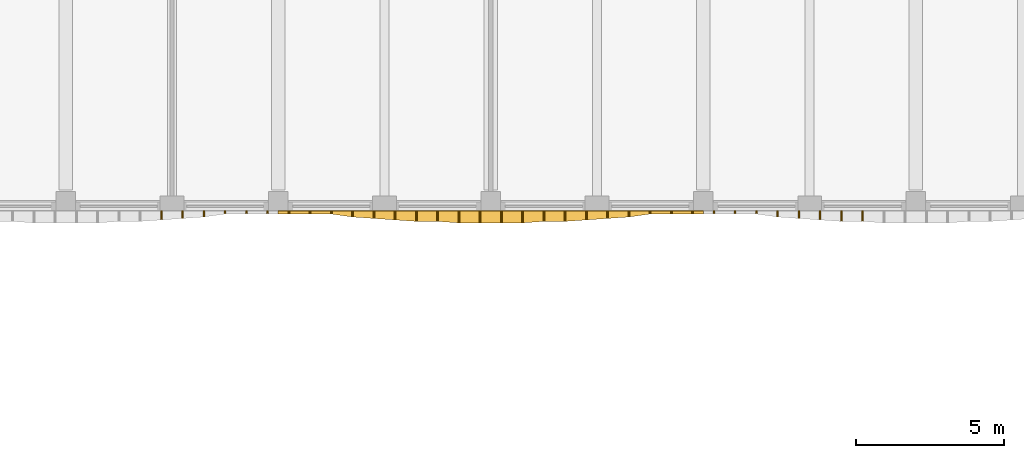
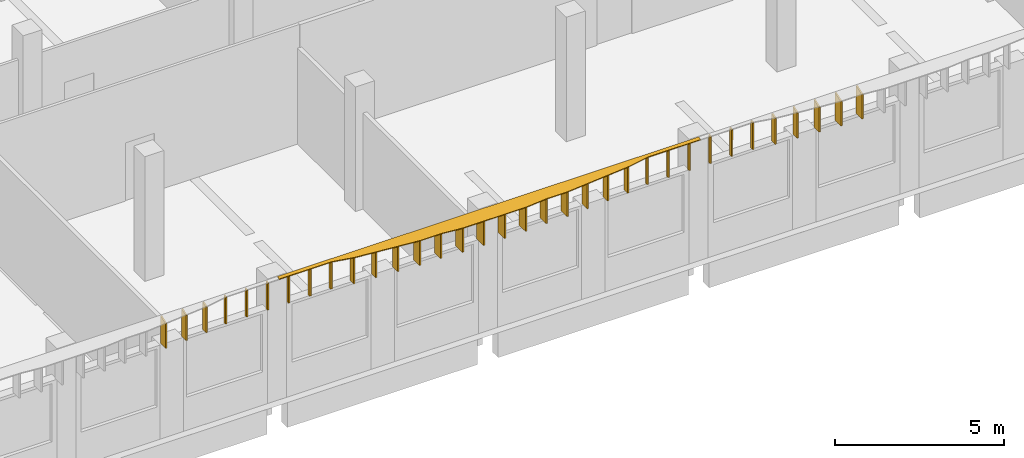
# One storey, part 46 of 58: 35 shading devices.
"""IFC4 building model written with IfcOpenShell, lengths in metres."""

import ifcopenshell
import ifcopenshell.guid

model = None  # the IFC model being written
_history = None  # IfcOwnerHistory: only IFC2X3 demands one
_inside = {}  # id of a spatial element -> (the spatial element, [elements in it])
_under = {}  # id of a project, library or spatial element -> (it, [spatial elements below it])
_declared = {}  # id of a project -> (the project, [libraries it declares])
_typed = {}  # id of a type object -> (the type object, [elements of that type])
_made_of = {}  # id of a material, layer set ... -> (it, [elements and type objects made of it])


def new_model(schema):
    """Start an empty IFC model of exactly this schema.

    Asked for "IFC4X3", IfcOpenShell would pick the latest addendum, in which some entities
    have other attributes; the version numbers below select the first issue.
    IFC2X3 requires an IfcOwnerHistory on every rooted entity: one is made here for all.
    """
    global model, _history
    if schema == "IFC4X3":
        model = ifcopenshell.file(schema_version=(4, 3, 0, 0))
    else:
        model = ifcopenshell.file(schema=schema)
    _inside.clear()
    _under.clear()
    _declared.clear()
    _typed.clear()
    _made_of.clear()
    _history = None
    if model.schema == "IFC2X3":
        org = make("IfcOrganization", Name="unknown")
        user = make(
            "IfcPersonAndOrganization",
            ThePerson=make("IfcPerson", FamilyName="unknown"),
            TheOrganization=org,
        )
        app = make(
            "IfcApplication",
            ApplicationDeveloper=org,
            Version="unknown",
            ApplicationFullName="unknown",
            ApplicationIdentifier="unknown",
        )
        _history = make(
            "IfcOwnerHistory",
            OwningUser=user,
            OwningApplication=app,
            ChangeAction="ADDED",
            CreationDate=0,
        )
    return model


def make(cls, **values):
    """One entity of the class cls with the attributes given. An attribute that is None is left unset."""
    return model.create_entity(
        cls, **{name: value for name, value in values.items() if value is not None}
    )


def rooted(cls, **values):
    """An entity with a GlobalId (a new one), such as an element, a storey or a relation."""
    return make(cls, GlobalId=ifcopenshell.guid.new(), OwnerHistory=_history, **values)


def si_unit(unit_type, name, prefix=None):
    """IfcSIUnit, for example si_unit("LENGTHUNIT", "METRE", prefix="MILLI")."""
    return make("IfcSIUnit", UnitType=unit_type, Prefix=prefix, Name=name)


def assignment(units):
    """IfcUnitAssignment: the units of a project."""
    return None if units is None else make("IfcUnitAssignment", Units=units)


def point(xyz):
    """IfcCartesianPoint."""
    return None if xyz is None else make("IfcCartesianPoint", Coordinates=xyz)


def direction(xyz):
    """IfcDirection."""
    return None if xyz is None else make("IfcDirection", DirectionRatios=xyz)


def frame(location, z_axis=None, x_axis=None):
    """IfcAxis2Placement3D, a coordinate frame: its origin and axes. An axis left out is left unset."""
    return make(
        "IfcAxis2Placement3D",
        Location=point(location),
        Axis=direction(z_axis),
        RefDirection=direction(x_axis),
    )


def origin():
    """The frame at (0, 0, 0) with its axes left unset."""
    return frame((0.0, 0.0, 0.0))


def place(relative_to, where):
    """IfcLocalPlacement: puts the frame where relative to a parent placement (None: the world)."""
    return make(
        "IfcLocalPlacement", PlacementRelTo=relative_to, RelativePlacement=where
    )


def context(
    kind, dimensions, precision=None, world=None, true_north=None, identifier=None
):
    """IfcGeometricRepresentationContext, for example the 3D "Model" context."""
    return make(
        "IfcGeometricRepresentationContext",
        ContextIdentifier=identifier,
        ContextType=kind,
        CoordinateSpaceDimension=dimensions,
        Precision=precision,
        WorldCoordinateSystem=world,
        TrueNorth=true_north,
    )


def subcontext(parent, identifier, kind, view, scale=None):
    """IfcGeometricRepresentationSubContext, for example "Body" below "Model"."""
    return make(
        "IfcGeometricRepresentationSubContext",
        ContextIdentifier=identifier,
        ContextType=kind,
        ParentContext=parent,
        TargetScale=scale,
        TargetView=view,
    )


def project(units=None, contexts=None):
    """IfcProject with its units and contexts."""
    return rooted(
        "IfcProject",
        Name="project",
        RepresentationContexts=contexts,
        UnitsInContext=assignment(units),
    )


def spatial(cls, under=None, at=None, **own):
    """A site, building, storey or space (cls), placed at a placement, below another one or the project."""
    s = rooted(cls, ObjectPlacement=at, **own)
    if under is not None:
        _under.setdefault(under.id(), (under, []))[1].append(s)
    return s


def polyline(points):
    """IfcPolyline through the points."""
    return make("IfcPolyline", Points=[point(p) for p in points])


def outline(outer, holes=None, kind="AREA"):
    """IfcArbitraryClosedProfileDef: a profile drawn as a closed curve; with holes, ...WithVoids."""
    if holes is None:
        return make("IfcArbitraryClosedProfileDef", ProfileType=kind, OuterCurve=outer)
    return make(
        "IfcArbitraryProfileDefWithVoids",
        ProfileType=kind,
        OuterCurve=outer,
        InnerCurves=holes,
    )


def extrude(swept, where, along, depth):
    """IfcExtrudedAreaSolid: the profile swept, set in the frame where, extruded along a direction by depth."""
    return make(
        "IfcExtrudedAreaSolid",
        SweptArea=swept,
        Position=where,
        ExtrudedDirection=direction(along),
        Depth=depth,
    )


def shape(context_of_items, identifier, shape_type, items):
    """IfcShapeRepresentation: the items that make up one representation, for example the "Body"."""
    return make(
        "IfcShapeRepresentation",
        ContextOfItems=context_of_items,
        RepresentationIdentifier=identifier,
        RepresentationType=shape_type,
        Items=items,
    )


def material(Name=None, Category=None):
    """IfcMaterial."""
    return make("IfcMaterial", Name=Name, Category=Category)


def layer(
    of_material, thickness, ventilated=None, Name=None, Category=None, Priority=None
):
    """IfcMaterialLayer: one layer of a wall or slab, of a material (None: an air gap)."""
    return make(
        "IfcMaterialLayer",
        Material=of_material,
        LayerThickness=thickness,
        IsVentilated=ventilated,
        Name=Name,
        Category=Category,
        Priority=Priority,
    )


def layer_set(layers, Name=None):
    """IfcMaterialLayerSet."""
    return make("IfcMaterialLayerSet", MaterialLayers=layers, LayerSetName=Name)


def made_of(thing, what):
    """Note that an element or type object is made of a material, layer set ...; save() writes the relation."""
    if what is not None:
        _made_of.setdefault(what.id(), (what, []))[1].append(thing)
    return thing


def type_object(cls, material=None, **own):
    """A type object (cls), such as IfcWallType, which elements share."""
    return made_of(rooted(cls, **own), material)


def element(
    cls,
    number,
    at=None,
    inside=None,
    cuts=None,
    type_object=None,
    material=None,
    context=None,
    identifier="Body",
    shape_type=None,
    held_by="IfcProductDefinitionShape",
    body=None,
    shapes=None,
    **own,
):
    """One element of the class cls, such as IfcWall. Its Tag is "e" and its number.

    at: its placement. inside: the storey or other place that contains it. cuts: it is an
    opening in that element (IfcRelVoidsElement). A single representation is given by context,
    identifier, shape_type and body (its items); several are given by shapes. held_by: the class
    of the entity that holds the representations. save() writes the other relations.
    """
    e = rooted(cls, Tag="e%d" % number, ObjectPlacement=at, **own)
    if body is not None:
        shapes = [shape(context, identifier, shape_type, body)]
    if shapes is not None:
        e.Representation = make(held_by, Representations=shapes)
    if inside is not None:
        _inside.setdefault(inside.id(), (inside, []))[1].append(e)
    if cuts is not None:
        rooted(
            "IfcRelVoidsElement", RelatingBuildingElement=cuts, RelatedOpeningElement=e
        )
    if type_object is not None:
        _typed.setdefault(type_object.id(), (type_object, []))[1].append(e)
    return made_of(e, material)


def aggregate(whole, parts):
    """IfcRelAggregates: a whole, such as a stair, and the parts it consists of."""
    return rooted("IfcRelAggregates", RelatingObject=whole, RelatedObjects=parts)


def save(model, path):
    """Write the relations noted so far, then the file.

    IfcRelAggregates (storeys below a building ...), IfcRelContainedInSpatialStructure (elements
    in a storey), IfcRelDefinesByType, IfcRelAssociatesMaterial and IfcRelDeclares: one each for
    every whole, place, type object, material and project.
    """
    for whole, parts in _under.values():
        aggregate(whole, parts)
    for where, things in _inside.values():
        rooted(
            "IfcRelContainedInSpatialStructure",
            RelatedElements=things,
            RelatingStructure=where,
        )
    for kind, things in _typed.values():
        rooted("IfcRelDefinesByType", RelatedObjects=things, RelatingType=kind)
    for what, things in _made_of.values():
        rooted("IfcRelAssociatesMaterial", RelatedObjects=things, RelatingMaterial=what)
    for by, libraries in _declared.values():
        rooted("IfcRelDeclares", RelatingContext=by, RelatedDefinitions=libraries)
    model.write(path)


model = new_model("IFC4")

# Units and contexts
model_context = context("Model", 3, precision=1e-05, world=origin(), true_north=direction((0.0, 1.0)))
body_context = subcontext(model_context, "Body", "Model", "MODEL_VIEW")
ifc_project = project(units=[si_unit("LENGTHUNIT", "METRE"), si_unit("AREAUNIT", "SQUARE_METRE"), si_unit("VOLUMEUNIT", "CUBIC_METRE"), si_unit("PLANEANGLEUNIT", "RADIAN"), si_unit("MASSUNIT", "GRAM", prefix="KILO")], contexts=[model_context])

# Site, building, storey
site_placement = place(None, origin())
site = spatial("IfcSite", under=ifc_project, at=site_placement, CompositionType="ELEMENT")
building_placement = place(site_placement, origin())
building = spatial("IfcBuilding", under=site, at=building_placement, Name="Ussher Court Research Institute", CompositionType="ELEMENT")
storey_placement = place(building_placement, frame((0.0, 0.0, 9.89990234375)))
storey = spatial("IfcBuildingStorey", under=building, at=storey_placement, Name="L02", CompositionType="ELEMENT", Elevation=9.89990234375)

# Shading devices
ifc_material_1 = material(Name="Bronze anodised aluminium", Category="aluminium")
ifc_layer_1 = layer(ifc_material_1, 0.050048828125)
ifc_layer_set_1 = layer_set([ifc_layer_1], Name="Bronze anodised aluminium")
shading_device_type_1 = type_object("IfcShadingDeviceType", Name="Brim blade 100 mm deep 1000 mm high canted 20 deg dry", PredefinedType="USERDEFINED", material=ifc_layer_set_1)
for number, where, z_axis, x_axis, name in (
    (1, (55.199951171875, 68.39990234375, 3.4501953125), (0.0, 0.0, 1.0), (0.0, -1.0, 0.0), "Brim blade BS17 L02"),
    (2, (54.47998046875, 68.39990234375, 3.4501953125), (0.0, 0.0, 1.0), (0.0, -1.0, 0.0), "Brim blade BS17 L02"),
    (3, (53.760009765625, 68.39990234375, 3.4501953125), (0.0, 0.0, 1.0), (0.0, -1.0, 0.0), "Brim blade BS17 L02"),
    (4, (53.0400390625, 68.39990234375, 3.4501953125), (0.0, 0.0, 1.0), (0.0, -1.0, 0.0), "Brim blade BS17 L02"),
    (5, (52.320068359375, 68.39990234375, 3.4501953125), (0.0, 0.0, 1.0), (0.0, -1.0, 0.0), "Brim blade BS17 L02"),
    (6, (51.60009765625, 68.39990234375, 3.4501953125), (0.0, 0.0, 1.0), (0.0, -1.0, 0.0), "Brim blade BS17 L02"),
    (7, (40.800048828125, 68.39990234375, 3.4501953125), (0.0, 0.0, 1.0), (0.0, -1.0, 0.0), "Brim blade BS17 L02"),
    (8, (40.080078125, 68.39990234375, 3.4501953125), (0.0, 0.0, 1.0), (0.0, -1.0, 0.0), "Brim blade BS17 L02"),
    (9, (39.360107421875, 68.39990234375, 3.4501953125), (0.0, 0.0, 1.0), (0.0, -1.0, 0.0), "Brim blade BS17 L02"),
    (10, (38.639892578125, 68.39990234375, 3.4501953125), (0.0, 0.0, 1.0), (0.0, -1.0, 0.0), "Brim blade BS17 L02"),
    (11, (37.919921875, 68.39990234375, 3.4501953125), (0.0, 0.0, 1.0), (0.0, -1.0, 0.0), "Brim blade BS17 L02"),
    (12, (37.199951171875, 68.39990234375, 3.4501953125), (0.0, 0.0, 1.0), (0.0, -1.0, 0.0), "Brim blade BS17 L02"),
):
    element("IfcShadingDevice", number, at=place(storey_placement, frame(where, z_axis=z_axis, x_axis=x_axis)), inside=storey, type_object=shading_device_type_1, Name=name, ObjectType="BLADE", PredefinedType="USERDEFINED", context=body_context, shape_type="SweptSolid", body=[
        extrude(outline(polyline([(0.0, 0.0), (0.099853515625, 0.0), (0.10009765625, 0.963623046875), (0.0, 1.0), (0.0, 0.0)])), frame((0.0, 0.02490234375, 0.0), z_axis=(0.0, -1.0, 0.0), x_axis=(1.0, 0.0, 0.0)), (0.0, 0.0, 1.0), 0.050048828125),
    ])
ifc_material_2 = material(Name="Bronze anodised aluminium", Category="aluminium")
ifc_layer_2 = layer(ifc_material_2, 0.050048828125)
ifc_layer_set_2 = layer_set([ifc_layer_2], Name="Bronze anodised aluminium")
shading_device_type_2 = type_object("IfcShadingDeviceType", Name="Brim blade 200 mm deep 1000 mm high canted 20 deg dry", PredefinedType="USERDEFINED", material=ifc_layer_set_2)
for number, where, z_axis, x_axis, name in (
    (13, (55.919921875, 68.39990234375, 3.4501953125), (0.0, 0.0, 1.0), (0.0, -1.0, 0.0), "Brim blade BS15 L02"),
    (14, (50.8798828125, 68.39990234375, 3.4501953125), (0.0, 0.0, 1.0), (0.0, -1.0, 0.0), "Brim blade BS15 L02"),
    (15, (41.52001953125, 68.39990234375, 3.4501953125), (0.0, 0.0, 1.0), (0.0, -1.0, 0.0), "Brim blade BS15 L02"),
    (16, (36.47998046875, 68.39990234375, 3.4501953125), (0.0, 0.0, 1.0), (0.0, -1.0, 0.0), "Brim blade BS15 L02"),
):
    element("IfcShadingDevice", number, at=place(storey_placement, frame(where, z_axis=z_axis, x_axis=x_axis)), inside=storey, type_object=shading_device_type_2, Name=name, ObjectType="BLADE", PredefinedType="USERDEFINED", context=body_context, shape_type="SweptSolid", body=[
        extrude(outline(polyline([(0.0, 0.0), (0.199951171875, 0.0), (0.199951171875, 0.927001953125), (0.0, 1.0), (0.0, 0.0)])), frame((0.0, 0.02490234375, 0.0), z_axis=(0.0, -1.0, 0.0), x_axis=(1.0, 0.0, 0.0)), (0.0, 0.0, 1.0), 0.050048828125),
    ])
ifc_material_3 = material(Name="Bronze anodised aluminium", Category="aluminium")
ifc_layer_3 = layer(ifc_material_3, 0.050048828125)
ifc_layer_set_3 = layer_set([ifc_layer_3], Name="Bronze anodised aluminium")
shading_device_type_3 = type_object("IfcShadingDeviceType", Name="Brim blade 250 mm deep 1000 mm high canted 20 deg dry", PredefinedType="USERDEFINED", material=ifc_layer_set_3)
for number, where, z_axis, x_axis, name in (
    (17, (56.639892578125, 68.39990234375, 3.4501953125), (0.0, 0.0, 1.0), (0.0, -1.0, 0.0), "Brim blade BS14 L02"),
    (18, (50.159912109375, 68.39990234375, 3.4501953125), (0.0, 0.0, 1.0), (0.0, -1.0, 0.0), "Brim blade BS14 L02"),
    (19, (42.239990234375, 68.39990234375, 3.4501953125), (0.0, 0.0, 1.0), (0.0, -1.0, 0.0), "Brim blade BS14 L02"),
    (20, (35.760009765625, 68.39990234375, 3.4501953125), (0.0, 0.0, 1.0), (0.0, -1.0, 0.0), "Brim blade BS14 L02"),
):
    element("IfcShadingDevice", number, at=place(storey_placement, frame(where, z_axis=z_axis, x_axis=x_axis)), inside=storey, type_object=shading_device_type_3, Name=name, ObjectType="BLADE", PredefinedType="USERDEFINED", context=body_context, shape_type="SweptSolid", body=[
        extrude(outline(polyline([(0.0, 0.0), (0.25, 0.0), (0.25, 0.908935546875), (0.0, 1.0), (0.0, 0.0)])), frame((0.0, 0.02490234375, 0.0), z_axis=(0.0, -1.0, 0.0), x_axis=(1.0, 0.0, 0.0)), (0.0, 0.0, 1.0), 0.050048828125),
    ])
ifc_material_4 = material(Name="Bronze anodised aluminium", Category="aluminium")
ifc_layer_4 = layer(ifc_material_4, 0.050048828125)
ifc_layer_set_4 = layer_set([ifc_layer_4], Name="Bronze anodised aluminium")
shading_device_type_4 = type_object("IfcShadingDeviceType", Name="Brim blade 300 mm deep 1000 mm high canted 20 deg dry", PredefinedType="USERDEFINED", material=ifc_layer_set_4)
for number, where, z_axis, x_axis, name in (
    (21, (57.360107421875, 68.39990234375, 3.4501953125), (0.0, 0.0, 1.0), (0.0, -1.0, 0.0), "Brim blade BS13 L02"),
    (22, (49.43994140625, 68.39990234375, 3.4501953125), (0.0, 0.0, 1.0), (0.0, -1.0, 0.0), "Brim blade BS13 L02"),
    (23, (42.9599609375, 68.39990234375, 3.4501953125), (0.0, 0.0, 1.0), (0.0, -1.0, 0.0), "Brim blade BS13 L02"),
    (24, (35.0400390625, 68.39990234375, 3.4501953125), (0.0, 0.0, 1.0), (0.0, -1.0, 0.0), "Brim blade BS13 L02"),
):
    element("IfcShadingDevice", number, at=place(storey_placement, frame(where, z_axis=z_axis, x_axis=x_axis)), inside=storey, type_object=shading_device_type_4, Name=name, ObjectType="BLADE", PredefinedType="USERDEFINED", context=body_context, shape_type="SweptSolid", body=[
        extrude(outline(polyline([(0.0, 0.0), (0.2998046875, 0.0), (0.300048828125, 0.890625), (0.0, 1.0), (0.0, 0.0)])), frame((0.0, 0.02490234375, 0.0), z_axis=(0.0, -1.0, 0.0), x_axis=(1.0, 0.0, 0.0)), (0.0, 0.0, 1.0), 0.050048828125),
    ])
ifc_material_5 = material(Name="Bronze anodised aluminium", Category="aluminium")
ifc_layer_5 = layer(ifc_material_5, 0.050048828125)
ifc_layer_set_5 = layer_set([ifc_layer_5], Name="Bronze anodised aluminium")
shading_device_type_5 = type_object("IfcShadingDeviceType", Name="Brim blade 350 mm deep 1000 mm high canted 20 deg dry", PredefinedType="USERDEFINED", material=ifc_layer_set_5)
for number, where, z_axis, x_axis, name in (
    (25, (58.800048828125, 68.39990234375, 3.4501953125), (0.0, 0.0, 1.0), (0.0, -1.0, 0.0), "Brim blade BS12 L02"),
    (26, (58.080078125, 68.39990234375, 3.4501953125), (0.0, 0.0, 1.0), (0.0, -1.0, 0.0), "Brim blade BS12 L02"),
    (27, (48.719970703125, 68.39990234375, 3.4501953125), (0.0, 0.0, 1.0), (0.0, -1.0, 0.0), "Brim blade BS12 L02"),
    (28, (48.0, 68.39990234375, 3.4501953125), (0.0, 0.0, 1.0), (0.0, -1.0, 0.0), "Brim blade BS12 L02"),
    (29, (44.39990234375, 68.39990234375, 3.4501953125), (0.0, 0.0, 1.0), (0.0, -1.0, 0.0), "Brim blade BS12 L02"),
    (30, (43.679931640625, 68.39990234375, 3.4501953125), (0.0, 0.0, 1.0), (0.0, -1.0, 0.0), "Brim blade BS12 L02"),
):
    element("IfcShadingDevice", number, at=place(storey_placement, frame(where, z_axis=z_axis, x_axis=x_axis)), inside=storey, type_object=shading_device_type_5, Name=name, ObjectType="BLADE", PredefinedType="USERDEFINED", context=body_context, shape_type="SweptSolid", body=[
        extrude(outline(polyline([(0.0, 0.0), (0.349853515625, 0.0), (0.35009765625, 0.87255859375), (0.0, 1.0), (0.0, 0.0)])), frame((0.0, 0.02490234375, 0.0), z_axis=(0.0, -1.0, 0.0), x_axis=(1.0, 0.0, 0.0)), (0.0, 0.0, 1.0), 0.050048828125),
    ])
ifc_material_6 = material(Name="Bronze anodised aluminium", Category="aluminium")
ifc_layer_6 = layer(ifc_material_6, 0.050048828125)
ifc_layer_set_6 = layer_set([ifc_layer_6], Name="Bronze anodised aluminium")
shading_device_type_6 = type_object("IfcShadingDeviceType", Name="Brim blade 400 mm deep 1000 mm high canted 20 deg dry", PredefinedType="USERDEFINED", material=ifc_layer_set_6)
for number, where, z_axis, x_axis, name in (
    (31, (47.280029296875, 68.39990234375, 3.4501953125), (0.0, 0.0, 1.0), (0.0, -1.0, 0.0), "Brim blade BS11 L02"),
    (32, (46.56005859375, 68.39990234375, 3.4501953125), (0.0, 0.0, 1.0), (0.0, -1.0, 0.0), "Brim blade BS11 L02"),
    (33, (45.840087890625, 68.39990234375, 3.4501953125), (0.0, 0.0, 1.0), (0.0, -1.0, 0.0), "Brim blade BS11 L02"),
    (34, (45.1201171875, 68.39990234375, 3.4501953125), (0.0, 0.0, 1.0), (0.0, -1.0, 0.0), "Brim blade BS11 L02"),
):
    element("IfcShadingDevice", number, at=place(storey_placement, frame(where, z_axis=z_axis, x_axis=x_axis)), inside=storey, type_object=shading_device_type_6, Name=name, ObjectType="BLADE", PredefinedType="USERDEFINED", context=body_context, shape_type="SweptSolid", body=[
        extrude(outline(polyline([(0.0, 0.0), (0.39990234375, 0.0), (0.39990234375, 0.854248046875), (0.0, 1.0), (0.0, 0.0)])), frame((0.0, 0.02490234375, 0.0), z_axis=(0.0, -1.0, 0.0), x_axis=(1.0, 0.0, 0.0)), (0.0, 0.0, 1.0), 0.050048828125),
    ])
ifc_material_7 = material(Name="Bronze anodised aluminium", Category="aluminium")
ifc_layer_7 = layer(ifc_material_7, 0.0400390625)
ifc_layer_set_7 = layer_set([ifc_layer_7], Name="Bronze anodised aluminium")
shading_device_type_7 = type_object("IfcShadingDeviceType", Name="Brim visor sheet 40 mm canted 20 deg dry", PredefinedType="USERDEFINED", material=ifc_layer_set_7)
shading_device_placement = place(storey_placement, frame((53.39990234375, 68.38623046875, 4.48779296875), z_axis=(0.0, -0.342400477754, 0.939554103197), x_axis=(-1.0, 0.0, 0.0)))
element("IfcShadingDevice", 35, at=shading_device_placement, inside=storey, type_object=shading_device_type_7, Name="Brim visor sheet BR2 L02", ObjectType="BRIM", PredefinedType="USERDEFINED", context=body_context, shape_type="SweptSolid", body=[
    extrude(outline(polyline([(0.0, 0.0), (14.39990234375, 0.0), (14.39990234375, 0.10627326645332352), (14.039794921875, 0.10627326645332352), (13.31982421875, 0.10627326645332352), (12.599853515625, 0.10627326645332352), (11.8798828125, 0.21285951009926202), (11.159912109375, 0.26606903805559207), (10.43994140625, 0.31936215987856126), (9.719970703125, 0.3723423045089156), (9.0, 0.3723423045089156), (8.27978515625, 0.42563542633188484), (7.559814453125, 0.42563542633188484), (6.83984375, 0.42563542633188484), (6.119873046875, 0.42563542633188484), (5.39990234375, 0.3723423045089156), (4.679931640625, 0.3723423045089156), (3.9599609375, 0.31936215987856126), (3.239990234375, 0.26606903805559207), (2.52001953125, 0.21285951009926202), (1.7998046875, 0.10627326645332352), (1.079833984375, 0.10627326645332352), (0.35986328125, 0.10627326645332352), (0.0, 0.10627326645332352), (0.0, 0.0)])), origin(), (0.0, 0.0, -1.0), 0.0400390625),
])

save(model, "model.ifc")
